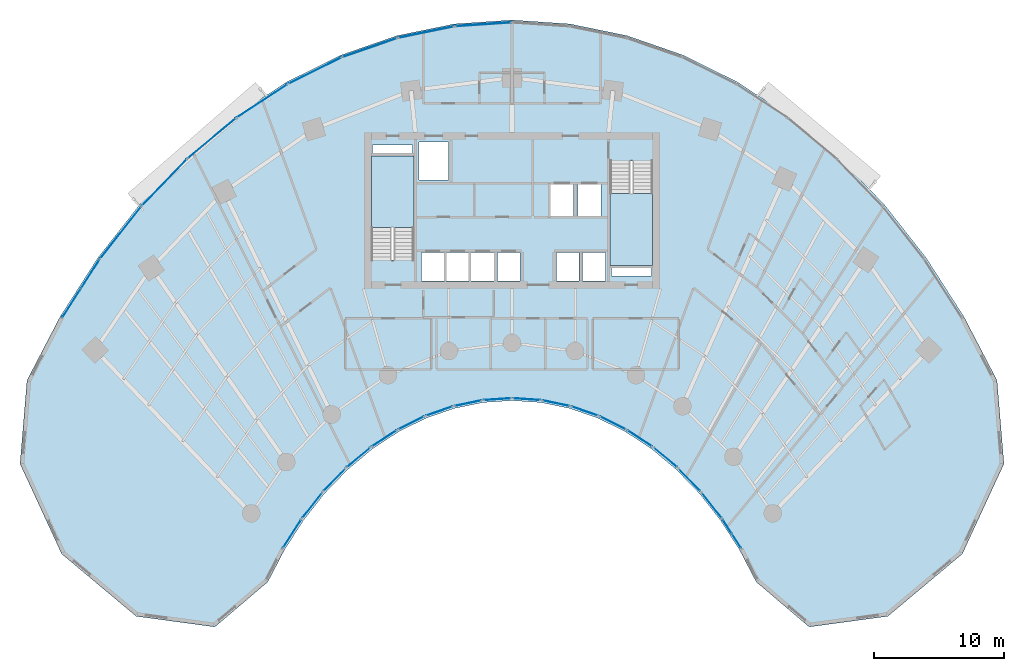
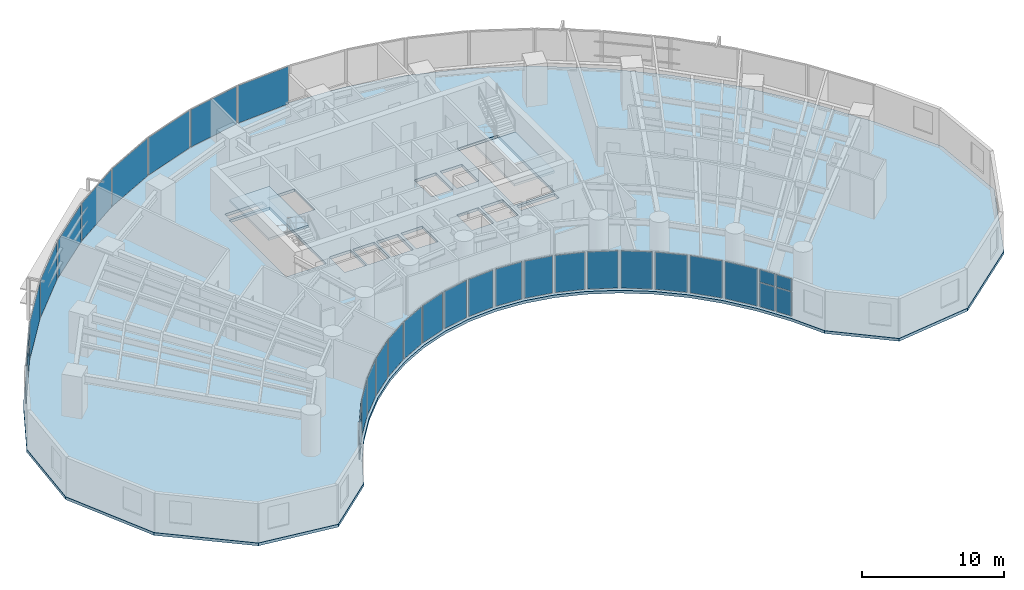
# One storey, part 9 of 17: 33 plates, 3 slabs, 29 elements without a shape of their own.
"""IFC4 building model written with IfcOpenShell, lengths in metres."""

from ifc_helpers import new_model, si_unit, direction, frame, origin, origin_2d, place, context, subcontext, project, spatial, polyline, rectangle, outline, extrude, source, transform, mapped, material, layer, layer_set, type_object, type_shapes, element, aggregate, save


model = new_model("IFC4")

# Units and contexts
model_context = context("Model", 3, precision=1e-05, world=origin(), true_north=direction((0.0, 1.0)))
body_context = subcontext(model_context, "Body", "Model", "MODEL_VIEW")
ifc_project = project(units=[si_unit("LENGTHUNIT", "METRE"), si_unit("AREAUNIT", "SQUARE_METRE"), si_unit("VOLUMEUNIT", "CUBIC_METRE"), si_unit("PLANEANGLEUNIT", "RADIAN"), si_unit("MASSUNIT", "GRAM", prefix="KILO")], contexts=[model_context])

# Site, building, storey
site_placement = place(None, origin())
site = spatial("IfcSite", under=ifc_project, at=site_placement, CompositionType="ELEMENT")
building_placement = place(site_placement, origin())
building = spatial("IfcBuilding", under=site, at=building_placement, Name="Breltana Convention Tower", CompositionType="ELEMENT")
storey_placement = place(building_placement, frame((0.0, 0.0, 57.0)))
storey = spatial("IfcBuildingStorey", under=building, at=storey_placement, Name="L12", CompositionType="ELEMENT", Elevation=57.0)

# Slab
ifc_material_1 = material(Name="Concrete C40/50", Category="concrete")
ifc_layer_1 = layer(ifc_material_1, 0.239990234375, Name="Concrete C40/50")
ifc_layer_set_1 = layer_set([ifc_layer_1], Name="Concrete C40/50")
slab_type_1 = type_object("IfcSlabType", Name="SL-HTL-240", PredefinedType="FLOOR", material=ifc_layer_set_1)
slab_1_placement = place(storey_placement, frame((0.0, 0.0, -0.239990234375)))
element("IfcSlab", 1, at=slab_1_placement, inside=storey, type_object=slab_type_1, Name="L12 Suspended Structural Floor Slab", PredefinedType="FLOOR", context=body_context, shape_type="SweptSolid", body=[
    extrude(outline(polyline([(85.229248046875, 53.173095703125), (82.687744140625, 58.054931640625), (79.791015625, 62.567626953125), (76.569091796875, 66.664794921875), (73.05419921875, 70.304931640625), (69.283203125, 73.450439453125), (65.2939453125, 76.069091796875), (61.1279296875, 78.134033203125), (56.827392578125, 79.62451171875), (52.436279296875, 80.52490234375), (48.0, 80.825927734375), (43.563720703125, 80.52490234375), (39.172607421875, 79.62451171875), (34.8720703125, 78.134033203125), (30.7060546875, 76.069091796875), (26.716796875, 73.450439453125), (22.94580078125, 70.304931640625), (19.430908203125, 66.664794921875), (16.208984375, 62.567626953125), (13.312255859375, 58.054931640625), (10.770751953125, 53.173095703125), (10.234619140625, 46.75927734375), (13.433837890625, 39.8388671875), (19.14697265625, 35.055419921875), (25.191162109375, 34.235595703125), (29.258056640625, 37.693115234375), (30.53759765625, 40.150634765625), (31.995849609375, 42.42236328125), (33.617919921875, 44.485107421875), (35.38720703125, 46.3173828125), (37.28564453125, 47.90087890625), (39.2939453125, 49.21923828125), (41.39111328125, 50.2587890625), (43.55615234375, 51.009033203125), (45.7666015625, 51.46240234375), (48.0, 51.614013671875), (50.2333984375, 51.46240234375), (52.44384765625, 51.009033203125), (54.60888671875, 50.2587890625), (56.7060546875, 49.21923828125), (58.71435546875, 47.90087890625), (60.61279296875, 46.3173828125), (62.382080078125, 44.485107421875), (64.004150390625, 42.42236328125), (65.46240234375, 40.150634765625), (66.741943359375, 37.693115234375), (70.808837890625, 34.235595703125), (76.85302734375, 35.055419921875), (82.566162109375, 39.8388671875), (85.765380859375, 46.75927734375), (85.229248046875, 53.173095703125)]), holes=[polyline([(37.199951171875, 62.385009765625), (40.469970703125, 62.385009765625), (40.469970703125, 70.39990234375), (37.199951171875, 70.39990234375), (37.199951171875, 62.385009765625)]), polyline([(55.530029296875, 62.0), (58.800048828125, 62.0), (58.800048828125, 70.014892578125), (55.530029296875, 70.014892578125), (55.530029296875, 62.0)]), polyline([(41.0400390625, 60.800048828125), (42.800048828125, 60.800048828125), (42.800048828125, 62.97998046875), (41.0400390625, 62.97998046875), (41.0400390625, 60.800048828125)]), polyline([(42.93994140625, 60.800048828125), (44.699951171875, 60.800048828125), (44.699951171875, 62.97998046875), (42.93994140625, 62.97998046875), (42.93994140625, 60.800048828125)]), polyline([(44.8701171875, 60.800048828125), (46.6298828125, 60.800048828125), (46.6298828125, 62.97998046875), (44.8701171875, 62.97998046875), (44.8701171875, 60.800048828125)]), polyline([(46.8701171875, 60.800048828125), (48.6298828125, 60.800048828125), (48.6298828125, 62.97998046875), (46.8701171875, 62.97998046875), (46.8701171875, 60.800048828125)]), polyline([(51.39990234375, 60.800048828125), (53.159912109375, 60.800048828125), (53.159912109375, 62.97998046875), (51.39990234375, 62.97998046875), (51.39990234375, 60.800048828125)]), polyline([(53.39990234375, 60.800048828125), (55.159912109375, 60.800048828125), (55.159912109375, 62.97998046875), (53.39990234375, 62.97998046875), (53.39990234375, 60.800048828125)]), polyline([(50.969970703125, 65.800048828125), (52.72998046875, 65.800048828125), (52.72998046875, 68.179931640625), (50.969970703125, 68.179931640625), (50.969970703125, 65.800048828125)]), polyline([(53.070068359375, 65.800048828125), (54.830078125, 65.800048828125), (54.830078125, 68.179931640625), (53.070068359375, 68.179931640625), (53.070068359375, 65.800048828125)]), polyline([(40.8798828125, 68.550048828125), (43.1201171875, 68.550048828125), (43.1201171875, 71.449951171875), (40.8798828125, 71.449951171875), (40.8798828125, 68.550048828125)]), polyline([(37.300048828125, 70.60009765625), (40.3798828125, 70.60009765625), (40.3798828125, 71.219970703125), (37.300048828125, 71.219970703125), (37.300048828125, 70.60009765625)]), polyline([(55.6201171875, 61.179931640625), (58.699951171875, 61.179931640625), (58.699951171875, 61.800048828125), (55.6201171875, 61.800048828125), (55.6201171875, 61.179931640625)])]), origin(), (0.0, 0.0, 1.0), 0.239990234375),
])

# Stair, slab
stair_type = type_object("IfcStairType", Name="ST-DOG-1560-R180", PredefinedType="HALF_TURN_STAIR", material=ifc_material_1)
stair_1_placement = place(storey_placement, origin())
stair_1 = element("IfcStair", 2, at=stair_1_placement, inside=storey, type_object=stair_type, Name="L12 Protected Core Exit Stair ST-1", PredefinedType="HALF_TURN_STAIR")
ifc_layer_2 = layer(ifc_material_1, 0.199951171875, Name="Concrete C40/50")
ifc_layer_set_2 = layer_set([ifc_layer_2], Name="Concrete C40/50")
slab_type_2 = type_object("IfcSlabType", Name="SL-STAIR-LANDING-200", PredefinedType="LANDING", material=ifc_layer_set_2)
slab_2_placement = place(storey_placement, frame((0.0, 0.0, 1.60009765625)))
slab_2 = element("IfcSlab", 3, at=slab_2_placement, type_object=slab_type_2, Name="ST-1 landing 1", PredefinedType="LANDING", context=body_context, shape_type="SweptSolid", body=[
    extrude(outline(polyline([(40.469970703125, 64.8798828125), (40.469970703125, 70.39990234375), (37.199951171875, 70.39990234375), (37.199951171875, 64.8798828125), (40.469970703125, 64.8798828125)])), origin(), (0.0, 0.0, 1.0), 0.199951171875),
])
aggregate(stair_1, [slab_2])

stair_2_placement = place(storey_placement, origin())
stair_2 = element("IfcStair", 4, at=stair_2_placement, inside=storey, type_object=stair_type, Name="L12 Protected Core Exit Stair ST-2", PredefinedType="HALF_TURN_STAIR")
slab_3_placement = place(storey_placement, frame((0.0, 0.0, 1.60009765625)))
slab_3 = element("IfcSlab", 5, at=slab_3_placement, type_object=slab_type_2, Name="ST-2 landing 1", PredefinedType="LANDING", context=body_context, shape_type="SweptSolid", body=[
    extrude(outline(polyline([(55.530029296875, 67.52001953125), (55.530029296875, 62.0), (58.800048828125, 62.0), (58.800048828125, 67.52001953125), (55.530029296875, 67.52001953125)])), origin(), (0.0, 0.0, 1.0), 0.199951171875),
])
aggregate(stair_2, [slab_3])

# Curtain wall, plates
ifc_material_2 = material(Name="Aluminium Anodised Bronze Frame", Category="aluminium")
ifc_layer_3 = layer(ifc_material_2, 0.18994140625, Name="Aluminium Anodised Bronze Frame")
ifc_layer_set_3 = layer_set([ifc_layer_3], Name="Aluminium Anodised Bronze Frame")
curtain_wall_type_1 = type_object("IfcCurtainWallType", Name="CW-SYS-1", PredefinedType="NOTDEFINED", material=ifc_layer_set_3)
curtain_wall_1_placement = place(storey_placement, origin())
curtain_wall_1 = element("IfcCurtainWall", 6, at=curtain_wall_1_placement, inside=storey, type_object=curtain_wall_type_1, Name="L12 inner south-court glazing 1", PredefinedType="NOTDEFINED")
ifc_material_3 = material(Name="Glass Low-E Double Glazing", Category="glass")
ifc_layer_4 = layer(ifc_material_3, 0.028076171875, Name="Glass Low-E Double Glazing")
ifc_layer_set_4 = layer_set([ifc_layer_4], Name="Glass Low-E Double Glazing")
plate_type_1 = type_object("IfcPlateType", Name="CWP-IGU-28", PredefinedType="CURTAIN_PANEL", material=ifc_layer_set_4)
shared_shape_1 = source(origin(), body_context, "Body", "SweptSolid", [
    extrude(rectangle(XDim=1.229736328125, YDim=0.028076171875, at=origin_2d()), origin(), (0.0, 0.0, 1.0), 2.06396484375),
])
plate_1_placement = place(storey_placement, frame((65.238525390625, 40.83251953125, 0.080078125), z_axis=(0.0, 0.0, 1.0), x_axis=(-0.540169576197, 0.841556194767, 0.0)))
plate_1 = element("IfcPlate", 7, at=plate_1_placement, type_object=plate_type_1, Name="CW-01 panel 1.1", PredefinedType="CURTAIN_PANEL", context=body_context, shape_type="MappedRepresentation", body=[
    mapped(shared_shape_1, transform((0.0, 0.0, 0.0), scale=1.0)),
])
plate_2_placement = place(storey_placement, frame((64.531005859375, 41.934814453125, 0.080078125), z_axis=(0.0, 0.0, 1.0), x_axis=(-0.540169576197, 0.841556194767, 0.0)))
plate_2 = element("IfcPlate", 8, at=plate_2_placement, type_object=plate_type_1, Name="CW-01 panel 2.1", PredefinedType="CURTAIN_PANEL", context=body_context, shape_type="MappedRepresentation", body=[
    mapped(shared_shape_1, transform((0.0, 0.0, 0.0), scale=1.0)),
])
shared_shape_2 = source(origin(), body_context, "Body", "SweptSolid", [
    extrude(rectangle(XDim=1.229736328125, YDim=0.028076171875, at=origin_2d()), origin(), (0.0, 0.0, 1.0), 1.055908203125),
])
plate_3_placement = place(storey_placement, frame((65.238525390625, 40.83251953125, 2.22412109375), z_axis=(0.0, 0.0, 1.0), x_axis=(-0.540169576197, 0.841556194767, 0.0)))
plate_3 = element("IfcPlate", 9, at=plate_3_placement, type_object=plate_type_1, Name="CW-01 panel 1.2", PredefinedType="CURTAIN_PANEL", context=body_context, shape_type="MappedRepresentation", body=[
    mapped(shared_shape_2, transform((0.0, 0.0, 0.0), scale=1.0)),
])
plate_4_placement = place(storey_placement, frame((64.531005859375, 41.934814453125, 2.22412109375), z_axis=(0.0, 0.0, 1.0), x_axis=(-0.540169576197, 0.841556194767, 0.0)))
plate_4 = element("IfcPlate", 10, at=plate_4_placement, type_object=plate_type_1, Name="CW-01 panel 2.2", PredefinedType="CURTAIN_PANEL", context=body_context, shape_type="MappedRepresentation", body=[
    mapped(shared_shape_2, transform((0.0, 0.0, 0.0), scale=1.0)),
])
aggregate(curtain_wall_1, [plate_1, plate_3, plate_2, plate_4])

# Curtain wall, plate
curtain_wall_2_placement = place(storey_placement, origin())
curtain_wall_2 = element("IfcCurtainWall", 11, at=curtain_wall_2_placement, inside=storey, type_object=curtain_wall_type_1, Name="L12 inner south-court glazing 2", PredefinedType="NOTDEFINED")
shared_shape_3 = source(origin(), body_context, "Body", "SweptSolid", [
    extrude(rectangle(XDim=2.464111328125, YDim=0.028076171875, at=origin_2d()), origin(), (0.0, 0.0, 1.0), 3.199951171875),
])
plate_5_placement = place(storey_placement, frame((63.334716796875, 43.56494140625, 0.080078125), z_axis=(0.0, 0.0, 1.0), x_axis=(-0.61815305034, 0.786057762734, 0.0)))
plate_5 = element("IfcPlate", 12, at=plate_5_placement, type_object=plate_type_1, Name="CW-01 panel 1.1", PredefinedType="CURTAIN_PANEL", context=body_context, shape_type="MappedRepresentation", body=[
    mapped(shared_shape_3, transform((0.0, 0.0, 0.0), scale=1.0)),
])
aggregate(curtain_wall_2, [plate_5])

curtain_wall_3_placement = place(storey_placement, origin())
curtain_wall_3 = element("IfcCurtainWall", 13, at=curtain_wall_3_placement, inside=storey, type_object=curtain_wall_type_1, Name="L12 inner south-court glazing 17", PredefinedType="NOTDEFINED")
plate_6_placement = place(storey_placement, frame((32.665283203125, 43.56494140625, 0.080078125), z_axis=(0.0, 0.0, 1.0), x_axis=(-0.61815305034, -0.786057762734, 0.0)))
plate_6 = element("IfcPlate", 14, at=plate_6_placement, type_object=plate_type_1, Name="CW-01 panel 1.1", PredefinedType="CURTAIN_PANEL", context=body_context, shape_type="MappedRepresentation", body=[
    mapped(shared_shape_3, transform((0.0, 0.0, 0.0), scale=1.0)),
])
aggregate(curtain_wall_3, [plate_6])

curtain_wall_4_placement = place(storey_placement, origin())
curtain_wall_4 = element("IfcCurtainWall", 15, at=curtain_wall_4_placement, inside=storey, type_object=curtain_wall_type_1, Name="L12 inner south-court glazing 3", PredefinedType="NOTDEFINED")
shared_shape_4 = source(origin(), body_context, "Body", "SweptSolid", [
    extrude(rectangle(XDim=2.38720703125, YDim=0.028076171875, at=origin_2d()), origin(), (0.0, 0.0, 1.0), 3.199951171875),
])
plate_7_placement = place(storey_placement, frame((61.626953125, 45.5263671875, 0.080078125), z_axis=(0.0, 0.0, 1.0), x_axis=(-0.694612029111, 0.719384548773, 0.0)))
plate_7 = element("IfcPlate", 16, at=plate_7_placement, type_object=plate_type_1, Name="CW-01 panel 1.1", PredefinedType="CURTAIN_PANEL", context=body_context, shape_type="MappedRepresentation", body=[
    mapped(shared_shape_4, transform((0.0, 0.0, 0.0), scale=1.0)),
])
aggregate(curtain_wall_4, [plate_7])

curtain_wall_5_placement = place(storey_placement, origin())
curtain_wall_5 = element("IfcCurtainWall", 17, at=curtain_wall_5_placement, inside=storey, type_object=curtain_wall_type_1, Name="L12 inner south-court glazing 16", PredefinedType="NOTDEFINED")
plate_8_placement = place(storey_placement, frame((34.373046875, 45.5263671875, 0.080078125), z_axis=(0.0, 0.0, 1.0), x_axis=(-0.694612029111, -0.719384548773, 0.0)))
plate_8 = element("IfcPlate", 18, at=plate_8_placement, type_object=plate_type_1, Name="CW-01 panel 1.1", PredefinedType="CURTAIN_PANEL", context=body_context, shape_type="MappedRepresentation", body=[
    mapped(shared_shape_4, transform((0.0, 0.0, 0.0), scale=1.0)),
])
aggregate(curtain_wall_5, [plate_8])

curtain_wall_6_placement = place(storey_placement, origin())
curtain_wall_6 = element("IfcCurtainWall", 19, at=curtain_wall_6_placement, inside=storey, type_object=curtain_wall_type_1, Name="L12 inner south-court glazing 4", PredefinedType="NOTDEFINED")
shared_shape_5 = source(origin(), body_context, "Body", "SweptSolid", [
    extrude(rectangle(XDim=2.312255859375, YDim=0.028076171875, at=origin_2d()), origin(), (0.0, 0.0, 1.0), 3.199951171875),
])
plate_9_placement = place(storey_placement, frame((59.77880859375, 47.24755859375, 0.080078125), z_axis=(0.0, 0.0, 1.0), x_axis=(-0.767939382804, 0.640522524458, 0.0)))
plate_9 = element("IfcPlate", 20, at=plate_9_placement, type_object=plate_type_1, Name="CW-01 panel 1.1", PredefinedType="CURTAIN_PANEL", context=body_context, shape_type="MappedRepresentation", body=[
    mapped(shared_shape_5, transform((0.0, 0.0, 0.0), scale=1.0)),
])
aggregate(curtain_wall_6, [plate_9])

curtain_wall_7_placement = place(storey_placement, origin())
curtain_wall_7 = element("IfcCurtainWall", 21, at=curtain_wall_7_placement, inside=storey, type_object=curtain_wall_type_1, Name="L12 inner south-court glazing 15", PredefinedType="NOTDEFINED")
plate_10_placement = place(storey_placement, frame((36.22119140625, 47.24755859375, 0.080078125), z_axis=(0.0, 0.0, 1.0), x_axis=(-0.767939382804, -0.640522524458, 0.0)))
plate_10 = element("IfcPlate", 22, at=plate_10_placement, type_object=plate_type_1, Name="CW-01 panel 1.1", PredefinedType="CURTAIN_PANEL", context=body_context, shape_type="MappedRepresentation", body=[
    mapped(shared_shape_5, transform((0.0, 0.0, 0.0), scale=1.0)),
])
aggregate(curtain_wall_7, [plate_10])

curtain_wall_8_placement = place(storey_placement, origin())
curtain_wall_8 = element("IfcCurtainWall", 23, at=curtain_wall_8_placement, inside=storey, type_object=curtain_wall_type_1, Name="L12 inner south-court glazing 5", PredefinedType="NOTDEFINED")
shared_shape_6 = source(origin(), body_context, "Body", "SweptSolid", [
    extrude(rectangle(XDim=2.2421875, YDim=0.028076171875, at=origin_2d()), origin(), (0.0, 0.0, 1.0), 3.199951171875),
])
plate_11_placement = place(storey_placement, frame((57.80908203125, 48.710693359375, 0.080078125), z_axis=(0.0, 0.0, 1.0), x_axis=(-0.835967942634, 0.548778278441, 0.0)))
plate_11 = element("IfcPlate", 24, at=plate_11_placement, type_object=plate_type_1, Name="CW-01 panel 1.1", PredefinedType="CURTAIN_PANEL", context=body_context, shape_type="MappedRepresentation", body=[
    mapped(shared_shape_6, transform((0.0, 0.0, 0.0), scale=1.0)),
])
aggregate(curtain_wall_8, [plate_11])

curtain_wall_9_placement = place(storey_placement, origin())
curtain_wall_9 = element("IfcCurtainWall", 25, at=curtain_wall_9_placement, inside=storey, type_object=curtain_wall_type_1, Name="L12 inner south-court glazing 14", PredefinedType="NOTDEFINED")
plate_12_placement = place(storey_placement, frame((38.19091796875, 48.710693359375, 0.080078125), z_axis=(0.0, 0.0, 1.0), x_axis=(-0.835967942634, -0.548778278441, 0.0)))
plate_12 = element("IfcPlate", 26, at=plate_12_placement, type_object=plate_type_1, Name="CW-01 panel 1.1", PredefinedType="CURTAIN_PANEL", context=body_context, shape_type="MappedRepresentation", body=[
    mapped(shared_shape_6, transform((0.0, 0.0, 0.0), scale=1.0)),
])
aggregate(curtain_wall_9, [plate_12])

curtain_wall_10_placement = place(storey_placement, origin())
curtain_wall_10 = element("IfcCurtainWall", 27, at=curtain_wall_10_placement, inside=storey, type_object=curtain_wall_type_1, Name="L12 inner south-court glazing 6", PredefinedType="NOTDEFINED")
shared_shape_7 = source(origin(), body_context, "Body", "SweptSolid", [
    extrude(rectangle(XDim=2.180908203125, YDim=0.028076171875, at=origin_2d()), origin(), (0.0, 0.0, 1.0), 3.199951171875),
])
plate_13_placement = place(storey_placement, frame((55.7373046875, 49.900390625, 0.080078125), z_axis=(0.0, 0.0, 1.0), x_axis=(-0.895968310315, 0.444117987602, 0.0)))
plate_13 = element("IfcPlate", 28, at=plate_13_placement, type_object=plate_type_1, Name="CW-01 panel 1.1", PredefinedType="CURTAIN_PANEL", context=body_context, shape_type="MappedRepresentation", body=[
    mapped(shared_shape_7, transform((0.0, 0.0, 0.0), scale=1.0)),
])
aggregate(curtain_wall_10, [plate_13])

curtain_wall_11_placement = place(storey_placement, origin())
curtain_wall_11 = element("IfcCurtainWall", 29, at=curtain_wall_11_placement, inside=storey, type_object=curtain_wall_type_1, Name="L12 inner south-court glazing 13", PredefinedType="NOTDEFINED")
plate_14_placement = place(storey_placement, frame((40.2626953125, 49.900390625, 0.080078125), z_axis=(0.0, 0.0, 1.0), x_axis=(-0.895968310315, -0.444117987602, 0.0)))
plate_14 = element("IfcPlate", 30, at=plate_14_placement, type_object=plate_type_1, Name="CW-01 panel 1.1", PredefinedType="CURTAIN_PANEL", context=body_context, shape_type="MappedRepresentation", body=[
    mapped(shared_shape_7, transform((0.0, 0.0, 0.0), scale=1.0)),
])
aggregate(curtain_wall_11, [plate_14])

curtain_wall_12_placement = place(storey_placement, origin())
curtain_wall_12 = element("IfcCurtainWall", 31, at=curtain_wall_12_placement, inside=storey, type_object=curtain_wall_type_1, Name="L12 inner south-court glazing 7", PredefinedType="NOTDEFINED")
shared_shape_8 = source(origin(), body_context, "Body", "SweptSolid", [
    extrude(rectangle(XDim=2.13134765625, YDim=0.028076171875, at=origin_2d()), origin(), (0.0, 0.0, 1.0), 3.199951171875),
])
plate_15_placement = place(storey_placement, frame((53.585205078125, 50.80419921875, 0.080078125), z_axis=(0.0, 0.0, 1.0), x_axis=(-0.944881211406, 0.327413341714, 0.0)))
plate_15 = element("IfcPlate", 32, at=plate_15_placement, type_object=plate_type_1, Name="CW-01 panel 1.1", PredefinedType="CURTAIN_PANEL", context=body_context, shape_type="MappedRepresentation", body=[
    mapped(shared_shape_8, transform((0.0, 0.0, 0.0), scale=1.0)),
])
aggregate(curtain_wall_12, [plate_15])

curtain_wall_13_placement = place(storey_placement, origin())
curtain_wall_13 = element("IfcCurtainWall", 33, at=curtain_wall_13_placement, inside=storey, type_object=curtain_wall_type_1, Name="L12 inner south-court glazing 12", PredefinedType="NOTDEFINED")
plate_16_placement = place(storey_placement, frame((42.414794921875, 50.80419921875, 0.080078125), z_axis=(0.0, 0.0, 1.0), x_axis=(-0.944881211406, -0.327413341714, 0.0)))
plate_16 = element("IfcPlate", 34, at=plate_16_placement, type_object=plate_type_1, Name="CW-01 panel 1.1", PredefinedType="CURTAIN_PANEL", context=body_context, shape_type="MappedRepresentation", body=[
    mapped(shared_shape_8, transform((0.0, 0.0, 0.0), scale=1.0)),
])
aggregate(curtain_wall_13, [plate_16])

curtain_wall_14_placement = place(storey_placement, origin())
curtain_wall_14 = element("IfcCurtainWall", 35, at=curtain_wall_14_placement, inside=storey, type_object=curtain_wall_type_1, Name="L12 inner south-court glazing 8", PredefinedType="NOTDEFINED")
shared_shape_9 = source(origin(), body_context, "Body", "SweptSolid", [
    extrude(rectangle(XDim=2.096435546875, YDim=0.028076171875, at=origin_2d()), origin(), (0.0, 0.0, 1.0), 3.199951171875),
])
plate_17_placement = place(storey_placement, frame((51.374755859375, 51.412109375, 0.080078125), z_axis=(0.0, 0.0, 1.0), x_axis=(-0.97961455393, 0.200886350278, 0.0)))
plate_17 = element("IfcPlate", 36, at=plate_17_placement, type_object=plate_type_1, Name="CW-01 panel 1.1", PredefinedType="CURTAIN_PANEL", context=body_context, shape_type="MappedRepresentation", body=[
    mapped(shared_shape_9, transform((0.0, 0.0, 0.0), scale=1.0)),
])
aggregate(curtain_wall_14, [plate_17])

curtain_wall_15_placement = place(storey_placement, origin())
curtain_wall_15 = element("IfcCurtainWall", 37, at=curtain_wall_15_placement, inside=storey, type_object=curtain_wall_type_1, Name="L12 inner south-court glazing 11", PredefinedType="NOTDEFINED")
plate_18_placement = place(storey_placement, frame((44.625244140625, 51.412109375, 0.080078125), z_axis=(0.0, 0.0, 1.0), x_axis=(-0.97961455393, -0.200886350278, 0.0)))
plate_18 = element("IfcPlate", 38, at=plate_18_placement, type_object=plate_type_1, Name="CW-01 panel 1.1", PredefinedType="CURTAIN_PANEL", context=body_context, shape_type="MappedRepresentation", body=[
    mapped(shared_shape_9, transform((0.0, 0.0, 0.0), scale=1.0)),
])
aggregate(curtain_wall_15, [plate_18])

curtain_wall_16_placement = place(storey_placement, origin())
curtain_wall_16 = element("IfcCurtainWall", 39, at=curtain_wall_16_placement, inside=storey, type_object=curtain_wall_type_1, Name="L12 inner south-court glazing 9", PredefinedType="NOTDEFINED")
shared_shape_10 = source(origin(), body_context, "Body", "SweptSolid", [
    extrude(rectangle(XDim=2.078369140625, YDim=0.028076171875, at=origin_2d()), origin(), (0.0, 0.0, 1.0), 3.199951171875),
])
plate_19_placement = place(storey_placement, frame((49.12890625, 51.7177734375, 0.080078125), z_axis=(0.0, 0.0, 1.0), x_axis=(-0.997703975371, 0.067725752326, 0.0)))
plate_19 = element("IfcPlate", 40, at=plate_19_placement, type_object=plate_type_1, Name="CW-01 panel 1.1", PredefinedType="CURTAIN_PANEL", context=body_context, shape_type="MappedRepresentation", body=[
    mapped(shared_shape_10, transform((0.0, 0.0, 0.0), scale=1.0)),
])
aggregate(curtain_wall_16, [plate_19])

curtain_wall_17_placement = place(storey_placement, origin())
curtain_wall_17 = element("IfcCurtainWall", 41, at=curtain_wall_17_placement, inside=storey, type_object=curtain_wall_type_1, Name="L12 inner south-court glazing 10", PredefinedType="NOTDEFINED")
plate_20_placement = place(storey_placement, frame((46.87109375, 51.7177734375, 0.080078125), z_axis=(0.0, 0.0, 1.0), x_axis=(-0.997703975371, -0.067725752326, 0.0)))
plate_20 = element("IfcPlate", 42, at=plate_20_placement, type_object=plate_type_1, Name="CW-01 panel 1.1", PredefinedType="CURTAIN_PANEL", context=body_context, shape_type="MappedRepresentation", body=[
    mapped(shared_shape_10, transform((0.0, 0.0, 0.0), scale=1.0)),
])
aggregate(curtain_wall_17, [plate_20])

curtain_wall_18_placement = place(storey_placement, origin())
curtain_wall_18 = element("IfcCurtainWall", 43, at=curtain_wall_18_placement, inside=storey, type_object=curtain_wall_type_1, Name="L12 inner south-court glazing 18", PredefinedType="NOTDEFINED")
shared_shape_11 = source(origin(), body_context, "Body", "SweptSolid", [
    extrude(rectangle(XDim=2.53955078125, YDim=0.028076171875, at=origin_2d()), origin(), (0.0, 0.0, 1.0), 3.199951171875),
])
plate_21_placement = place(storey_placement, frame((31.115234375, 41.3837890625, 0.080078125), z_axis=(0.0, 0.0, 1.0), x_axis=(-0.540169576197, -0.841556194767, 0.0)))
plate_21 = element("IfcPlate", 44, at=plate_21_placement, type_object=plate_type_1, Name="CW-01 panel 1.1", PredefinedType="CURTAIN_PANEL", context=body_context, shape_type="MappedRepresentation", body=[
    mapped(shared_shape_11, transform((0.0, 0.0, 0.0), scale=1.0)),
])
aggregate(curtain_wall_18, [plate_21])

# Curtain wall, plates
ifc_layer_5 = layer(ifc_material_2, 0.199951171875, Name="Aluminium Anodised Bronze Frame")
ifc_layer_set_5 = layer_set([ifc_layer_5], Name="Aluminium Anodised Bronze Frame")
curtain_wall_type_2 = type_object("IfcCurtainWallType", Name="CW-SYS-2", PredefinedType="NOTDEFINED", material=ifc_layer_set_5)
curtain_wall_19_placement = place(storey_placement, origin())
curtain_wall_19 = element("IfcCurtainWall", 45, at=curtain_wall_19_placement, inside=storey, type_object=curtain_wall_type_2, Name="L12 outer double-skin inner glazing 1", PredefinedType="NOTDEFINED")
ifc_layer_6 = layer(ifc_material_3, 0.031982421875, Name="Glass Low-E Double Glazing")
ifc_layer_set_6 = layer_set([ifc_layer_6], Name="Glass Low-E Double Glazing")
plate_type_2 = type_object("IfcPlateType", Name="CWP-IGU-32", PredefinedType="CURTAIN_PANEL", material=ifc_layer_set_6)
shared_shape_12 = source(origin(), body_context, "Body", "SweptSolid", [
    extrude(rectangle(XDim=2.56787109375, YDim=0.031982421875, at=origin_2d()), origin(), (0.0, 0.0, 1.0), 2.0791015625),
])
type_shapes(plate_type_2, [shared_shape_12])
plate_22_placement = place(storey_placement, frame((14.199462890625, 59.103759765625, 0.070068359375), z_axis=(0.0, 0.0, 1.0), x_axis=(0.540180724109, 0.841549039154, 0.0)))
plate_22 = element("IfcPlate", 46, at=plate_22_placement, type_object=plate_type_2, Name="CW-02 panel 1.1", PredefinedType="CURTAIN_PANEL", context=body_context, shape_type="MappedRepresentation", body=[
    mapped(shared_shape_12, transform((0.0, 0.0, 0.0), scale=1.0)),
])
plate_23_placement = place(storey_placement, frame((15.624267578125, 61.32373046875, 0.070068359375), z_axis=(0.0, 0.0, 1.0), x_axis=(0.540180724109, 0.841549039154, 0.0)))
plate_23 = element("IfcPlate", 47, at=plate_23_placement, type_object=plate_type_2, Name="CW-02 panel 2.1", PredefinedType="CURTAIN_PANEL", context=body_context, shape_type="MappedRepresentation", body=[
    mapped(shared_shape_12, transform((0.0, 0.0, 0.0), scale=1.0)),
])
shared_shape_13 = source(origin(), body_context, "Body", "SweptSolid", [
    extrude(rectangle(XDim=2.56787109375, YDim=0.031982421875, at=origin_2d()), origin(), (0.0, 0.0, 1.0), 1.071044921875),
])
plate_24_placement = place(storey_placement, frame((14.199462890625, 59.103759765625, 2.21875), z_axis=(0.0, 0.0, 1.0), x_axis=(0.540180724109, 0.841549039154, 0.0)))
plate_24 = element("IfcPlate", 48, at=plate_24_placement, type_object=plate_type_2, Name="CW-02 panel 1.2", PredefinedType="CURTAIN_PANEL", context=body_context, shape_type="MappedRepresentation", body=[
    mapped(shared_shape_13, transform((0.0, 0.0, 0.0), scale=1.0)),
])
plate_25_placement = place(storey_placement, frame((15.624267578125, 61.32373046875, 2.21875), z_axis=(0.0, 0.0, 1.0), x_axis=(0.540180724109, 0.841549039154, 0.0)))
plate_25 = element("IfcPlate", 49, at=plate_25_placement, type_object=plate_type_2, Name="CW-02 panel 2.2", PredefinedType="CURTAIN_PANEL", context=body_context, shape_type="MappedRepresentation", body=[
    mapped(shared_shape_13, transform((0.0, 0.0, 0.0), scale=1.0)),
])
aggregate(curtain_wall_19, [plate_22, plate_24, plate_23, plate_25])

# Curtain wall, plate
curtain_wall_20_placement = place(storey_placement, origin())
curtain_wall_20 = element("IfcCurtainWall", 50, at=curtain_wall_20_placement, inside=storey, type_object=curtain_wall_type_2, Name="L12 outer double-skin inner glazing 2", PredefinedType="NOTDEFINED")
shared_shape_14 = source(origin(), body_context, "Body", "SweptSolid", [
    extrude(rectangle(XDim=5.0546875, YDim=0.031982421875, at=origin_2d()), origin(), (0.0, 0.0, 1.0), 3.219970703125),
])
plate_26_placement = place(storey_placement, frame((17.961181640625, 64.504638671875, 0.06982421875), z_axis=(0.0, 0.0, 1.0), x_axis=(0.618153917633, 0.786057080698, 0.0)))
plate_26 = element("IfcPlate", 51, at=plate_26_placement, type_object=plate_type_2, Name="CW-02 panel 1.1", PredefinedType="CURTAIN_PANEL", context=body_context, shape_type="MappedRepresentation", body=[
    mapped(shared_shape_14, transform((0.0, 0.0, 0.0), scale=1.0)),
])
aggregate(curtain_wall_20, [plate_26])

curtain_wall_21_placement = place(storey_placement, origin())
curtain_wall_21 = element("IfcCurtainWall", 52, at=curtain_wall_21_placement, inside=storey, type_object=curtain_wall_type_2, Name="L12 outer double-skin inner glazing 3", PredefinedType="NOTDEFINED")
shared_shape_15 = source(origin(), body_context, "Body", "SweptSolid", [
    extrude(rectangle(XDim=4.901123046875, YDim=0.031982421875, at=origin_2d()), origin(), (0.0, 0.0, 1.0), 3.219970703125),
])
plate_27_placement = place(storey_placement, frame((21.317626953125, 68.359619140625, 0.06982421875), z_axis=(0.0, 0.0, 1.0), x_axis=(0.694610090106, 0.719386421003, 0.0)))
plate_27 = element("IfcPlate", 53, at=plate_27_placement, type_object=plate_type_2, Name="CW-02 panel 1.1", PredefinedType="CURTAIN_PANEL", context=body_context, shape_type="MappedRepresentation", body=[
    mapped(shared_shape_15, transform((0.0, 0.0, 0.0), scale=1.0)),
])
aggregate(curtain_wall_21, [plate_27])

curtain_wall_22_placement = place(storey_placement, origin())
curtain_wall_22 = element("IfcCurtainWall", 54, at=curtain_wall_22_placement, inside=storey, type_object=curtain_wall_type_2, Name="L12 outer double-skin inner glazing 4", PredefinedType="NOTDEFINED")
shared_shape_16 = source(origin(), body_context, "Body", "SweptSolid", [
    extrude(rectangle(XDim=4.7509765625, YDim=0.031982421875, at=origin_2d()), origin(), (0.0, 0.0, 1.0), 3.219970703125),
])
plate_28_placement = place(storey_placement, frame((24.9462890625, 71.7392578125, 0.06982421875), z_axis=(0.0, 0.0, 1.0), x_axis=(0.767941326958, 0.640520193554, 0.0)))
plate_28 = element("IfcPlate", 55, at=plate_28_placement, type_object=plate_type_2, Name="CW-02 panel 1.1", PredefinedType="CURTAIN_PANEL", context=body_context, shape_type="MappedRepresentation", body=[
    mapped(shared_shape_16, transform((0.0, 0.0, 0.0), scale=1.0)),
])
aggregate(curtain_wall_22, [plate_28])

curtain_wall_23_placement = place(storey_placement, origin())
curtain_wall_23 = element("IfcCurtainWall", 56, at=curtain_wall_23_placement, inside=storey, type_object=curtain_wall_type_2, Name="L12 outer double-skin inner glazing 5", PredefinedType="NOTDEFINED")
shared_shape_17 = source(origin(), body_context, "Body", "SweptSolid", [
    extrude(rectangle(XDim=4.610595703125, YDim=0.031982421875, at=origin_2d()), origin(), (0.0, 0.0, 1.0), 3.219970703125),
])
plate_29_placement = place(storey_placement, frame((28.81005859375, 74.609130859375, 0.06982421875), z_axis=(0.0, 0.0, 1.0), x_axis=(0.83596401875, 0.548784255746, 0.0)))
plate_29 = element("IfcPlate", 57, at=plate_29_placement, type_object=plate_type_2, Name="CW-02 panel 1.1", PredefinedType="CURTAIN_PANEL", context=body_context, shape_type="MappedRepresentation", body=[
    mapped(shared_shape_17, transform((0.0, 0.0, 0.0), scale=1.0)),
])
aggregate(curtain_wall_23, [plate_29])

curtain_wall_24_placement = place(storey_placement, origin())
curtain_wall_24 = element("IfcCurtainWall", 58, at=curtain_wall_24_placement, inside=storey, type_object=curtain_wall_type_2, Name="L12 outer double-skin inner glazing 6", PredefinedType="NOTDEFINED")
shared_shape_18 = source(origin(), body_context, "Body", "SweptSolid", [
    extrude(rectangle(XDim=4.487548828125, YDim=0.031982421875, at=origin_2d()), origin(), (0.0, 0.0, 1.0), 3.219970703125),
])
plate_30_placement = place(storey_placement, frame((32.86865234375, 76.940185546875, 0.06982421875), z_axis=(0.0, 0.0, 1.0), x_axis=(0.895973407804, 0.444107703726, 0.0)))
plate_30 = element("IfcPlate", 59, at=plate_30_placement, type_object=plate_type_2, Name="CW-02 panel 1.1", PredefinedType="CURTAIN_PANEL", context=body_context, shape_type="MappedRepresentation", body=[
    mapped(shared_shape_18, transform((0.0, 0.0, 0.0), scale=1.0)),
])
aggregate(curtain_wall_24, [plate_30])

curtain_wall_25_placement = place(storey_placement, origin())
curtain_wall_25 = element("IfcCurtainWall", 60, at=curtain_wall_25_placement, inside=storey, type_object=curtain_wall_type_2, Name="L12 outer double-skin inner glazing 7", PredefinedType="NOTDEFINED")
shared_shape_19 = source(origin(), body_context, "Body", "SweptSolid", [
    extrude(rectangle(XDim=4.388427734375, YDim=0.031982421875, at=origin_2d()), origin(), (0.0, 0.0, 1.0), 3.219970703125),
])
plate_31_placement = place(storey_placement, frame((37.0810546875, 78.709228515625, 0.06982421875), z_axis=(0.0, 0.0, 1.0), x_axis=(0.944876012163, 0.32742834581, 0.0)))
plate_31 = element("IfcPlate", 61, at=plate_31_placement, type_object=plate_type_2, Name="CW-02 panel 1.1", PredefinedType="CURTAIN_PANEL", context=body_context, shape_type="MappedRepresentation", body=[
    mapped(shared_shape_19, transform((0.0, 0.0, 0.0), scale=1.0)),
])
aggregate(curtain_wall_25, [plate_31])

curtain_wall_26_placement = place(storey_placement, origin())
curtain_wall_26 = element("IfcCurtainWall", 62, at=curtain_wall_26_placement, inside=storey, type_object=curtain_wall_type_2, Name="L12 outer double-skin inner glazing 8", PredefinedType="NOTDEFINED")
shared_shape_20 = source(origin(), body_context, "Body", "SweptSolid", [
    extrude(rectangle(XDim=4.318359375, YDim=0.031982421875, at=origin_2d()), origin(), (0.0, 0.0, 1.0), 3.219970703125),
])
plate_32_placement = place(storey_placement, frame((41.404296875, 79.898193359375, 0.06982421875), z_axis=(0.0, 0.0, 1.0), x_axis=(0.979614925743, 0.200884537139, 0.0)))
plate_32 = element("IfcPlate", 63, at=plate_32_placement, type_object=plate_type_2, Name="CW-02 panel 1.1", PredefinedType="CURTAIN_PANEL", context=body_context, shape_type="MappedRepresentation", body=[
    mapped(shared_shape_20, transform((0.0, 0.0, 0.0), scale=1.0)),
])
aggregate(curtain_wall_26, [plate_32])

curtain_wall_27_placement = place(storey_placement, origin())
curtain_wall_27 = element("IfcCurtainWall", 64, at=curtain_wall_27_placement, inside=storey, type_object=curtain_wall_type_2, Name="L12 outer double-skin inner glazing 9", PredefinedType="NOTDEFINED")
shared_shape_21 = source(origin(), body_context, "Body", "SweptSolid", [
    extrude(rectangle(XDim=4.2822265625, YDim=0.031982421875, at=origin_2d()), origin(), (0.0, 0.0, 1.0), 3.219970703125),
])
plate_33_placement = place(storey_placement, frame((45.7939453125, 80.495849609375, 0.06982421875), z_axis=(0.0, 0.0, 1.0), x_axis=(0.997703982282, 0.067725650529, 0.0)))
plate_33 = element("IfcPlate", 65, at=plate_33_placement, type_object=plate_type_2, Name="CW-02 panel 1.1", PredefinedType="CURTAIN_PANEL", context=body_context, shape_type="MappedRepresentation", body=[
    mapped(shared_shape_21, transform((0.0, 0.0, 0.0), scale=1.0)),
])
aggregate(curtain_wall_27, [plate_33])

save(model, "model.ifc")
